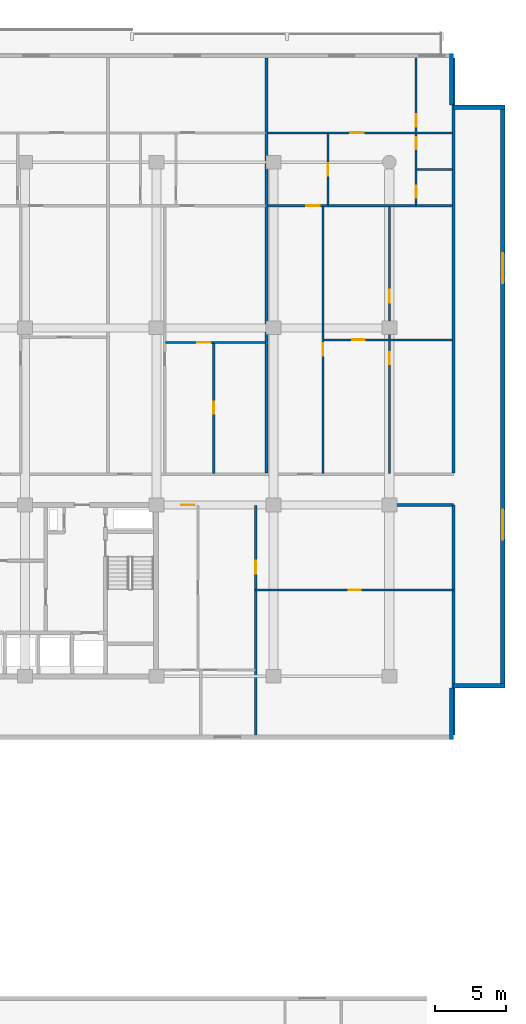
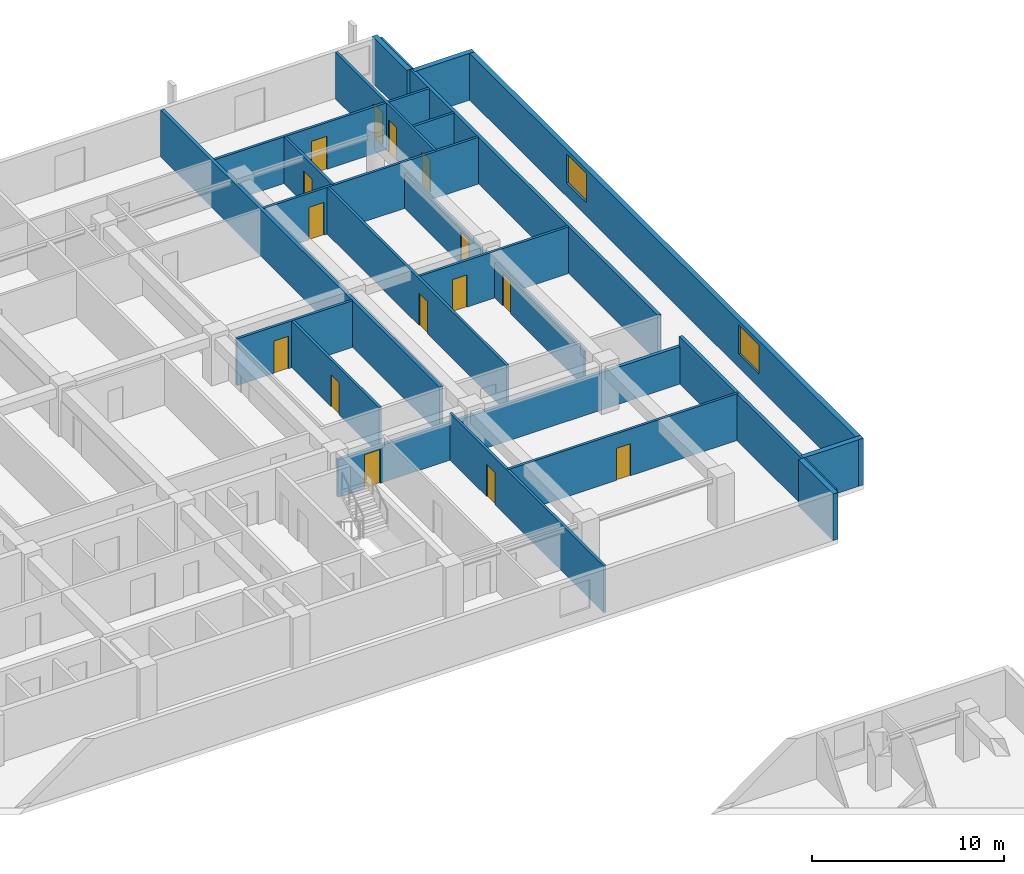
# One storey, part 17 of 23: 21 walls, 15 doors, 2 windows, 17 openings.
"""IFC4 building model written with IfcOpenShell, lengths in metres."""

import ifcopenshell
import ifcopenshell.guid

model = None  # the IFC model being written
_history = None  # IfcOwnerHistory: only IFC2X3 demands one
_inside = {}  # id of a spatial element -> (the spatial element, [elements in it])
_under = {}  # id of a project, library or spatial element -> (it, [spatial elements below it])
_declared = {}  # id of a project -> (the project, [libraries it declares])
_typed = {}  # id of a type object -> (the type object, [elements of that type])
_made_of = {}  # id of a material, layer set ... -> (it, [elements and type objects made of it])


def new_model(schema):
    """Start an empty IFC model of exactly this schema.

    Asked for "IFC4X3", IfcOpenShell would pick the latest addendum, in which some entities
    have other attributes; the version numbers below select the first issue.
    IFC2X3 requires an IfcOwnerHistory on every rooted entity: one is made here for all.
    """
    global model, _history
    if schema == "IFC4X3":
        model = ifcopenshell.file(schema_version=(4, 3, 0, 0))
    else:
        model = ifcopenshell.file(schema=schema)
    _inside.clear()
    _under.clear()
    _declared.clear()
    _typed.clear()
    _made_of.clear()
    _history = None
    if model.schema == "IFC2X3":
        org = make("IfcOrganization", Name="unknown")
        user = make(
            "IfcPersonAndOrganization",
            ThePerson=make("IfcPerson", FamilyName="unknown"),
            TheOrganization=org,
        )
        app = make(
            "IfcApplication",
            ApplicationDeveloper=org,
            Version="unknown",
            ApplicationFullName="unknown",
            ApplicationIdentifier="unknown",
        )
        _history = make(
            "IfcOwnerHistory",
            OwningUser=user,
            OwningApplication=app,
            ChangeAction="ADDED",
            CreationDate=0,
        )
    return model


def make(cls, **values):
    """One entity of the class cls with the attributes given. An attribute that is None is left unset."""
    return model.create_entity(
        cls, **{name: value for name, value in values.items() if value is not None}
    )


def rooted(cls, **values):
    """An entity with a GlobalId (a new one), such as an element, a storey or a relation."""
    return make(cls, GlobalId=ifcopenshell.guid.new(), OwnerHistory=_history, **values)


def si_unit(unit_type, name, prefix=None):
    """IfcSIUnit, for example si_unit("LENGTHUNIT", "METRE", prefix="MILLI")."""
    return make("IfcSIUnit", UnitType=unit_type, Prefix=prefix, Name=name)


def assignment(units):
    """IfcUnitAssignment: the units of a project."""
    return None if units is None else make("IfcUnitAssignment", Units=units)


def point(xyz):
    """IfcCartesianPoint."""
    return None if xyz is None else make("IfcCartesianPoint", Coordinates=xyz)


def direction(xyz):
    """IfcDirection."""
    return None if xyz is None else make("IfcDirection", DirectionRatios=xyz)


def frame(location, z_axis=None, x_axis=None):
    """IfcAxis2Placement3D, a coordinate frame: its origin and axes. An axis left out is left unset."""
    return make(
        "IfcAxis2Placement3D",
        Location=point(location),
        Axis=direction(z_axis),
        RefDirection=direction(x_axis),
    )


def frame_2d(location, x_axis=None):
    """IfcAxis2Placement2D, a coordinate frame in the plane: its origin and x axis."""
    return make(
        "IfcAxis2Placement2D", Location=point(location), RefDirection=direction(x_axis)
    )


def origin():
    """The frame at (0, 0, 0) with its axes left unset."""
    return frame((0.0, 0.0, 0.0))


def place(relative_to, where):
    """IfcLocalPlacement: puts the frame where relative to a parent placement (None: the world)."""
    return make(
        "IfcLocalPlacement", PlacementRelTo=relative_to, RelativePlacement=where
    )


def context(
    kind, dimensions, precision=None, world=None, true_north=None, identifier=None
):
    """IfcGeometricRepresentationContext, for example the 3D "Model" context."""
    return make(
        "IfcGeometricRepresentationContext",
        ContextIdentifier=identifier,
        ContextType=kind,
        CoordinateSpaceDimension=dimensions,
        Precision=precision,
        WorldCoordinateSystem=world,
        TrueNorth=true_north,
    )


def subcontext(parent, identifier, kind, view, scale=None):
    """IfcGeometricRepresentationSubContext, for example "Body" below "Model"."""
    return make(
        "IfcGeometricRepresentationSubContext",
        ContextIdentifier=identifier,
        ContextType=kind,
        ParentContext=parent,
        TargetScale=scale,
        TargetView=view,
    )


def project(units=None, contexts=None):
    """IfcProject with its units and contexts."""
    return rooted(
        "IfcProject",
        Name="project",
        RepresentationContexts=contexts,
        UnitsInContext=assignment(units),
    )


def spatial(cls, under=None, at=None, **own):
    """A site, building, storey or space (cls), placed at a placement, below another one or the project."""
    s = rooted(cls, ObjectPlacement=at, **own)
    if under is not None:
        _under.setdefault(under.id(), (under, []))[1].append(s)
    return s


def profile(cls, at=None, kind="AREA", **sizes):
    """A parametric profile (cls). Its sizes go by their IFC names, for example OverallWidth=200.0."""
    return make(cls, ProfileType=kind, Position=at, **sizes)


def rectangle(**sizes):
    """IfcRectangleProfileDef."""
    return profile("IfcRectangleProfileDef", **sizes)


def extrude(swept, where, along, depth):
    """IfcExtrudedAreaSolid: the profile swept, set in the frame where, extruded along a direction by depth."""
    return make(
        "IfcExtrudedAreaSolid",
        SweptArea=swept,
        Position=where,
        ExtrudedDirection=direction(along),
        Depth=depth,
    )


def shape(context_of_items, identifier, shape_type, items):
    """IfcShapeRepresentation: the items that make up one representation, for example the "Body"."""
    return make(
        "IfcShapeRepresentation",
        ContextOfItems=context_of_items,
        RepresentationIdentifier=identifier,
        RepresentationType=shape_type,
        Items=items,
    )


def material(Name=None, Category=None):
    """IfcMaterial."""
    return make("IfcMaterial", Name=Name, Category=Category)


def layer(
    of_material, thickness, ventilated=None, Name=None, Category=None, Priority=None
):
    """IfcMaterialLayer: one layer of a wall or slab, of a material (None: an air gap)."""
    return make(
        "IfcMaterialLayer",
        Material=of_material,
        LayerThickness=thickness,
        IsVentilated=ventilated,
        Name=Name,
        Category=Category,
        Priority=Priority,
    )


def layer_set(layers, Name=None):
    """IfcMaterialLayerSet."""
    return make("IfcMaterialLayerSet", MaterialLayers=layers, LayerSetName=Name)


def made_of(thing, what):
    """Note that an element or type object is made of a material, layer set ...; save() writes the relation."""
    if what is not None:
        _made_of.setdefault(what.id(), (what, []))[1].append(thing)
    return thing


def type_object(cls, material=None, **own):
    """A type object (cls), such as IfcWallType, which elements share."""
    return made_of(rooted(cls, **own), material)


def element(
    cls,
    number,
    at=None,
    inside=None,
    cuts=None,
    type_object=None,
    material=None,
    context=None,
    identifier="Body",
    shape_type=None,
    held_by="IfcProductDefinitionShape",
    body=None,
    shapes=None,
    **own,
):
    """One element of the class cls, such as IfcWall. Its Tag is "e" and its number.

    at: its placement. inside: the storey or other place that contains it. cuts: it is an
    opening in that element (IfcRelVoidsElement). A single representation is given by context,
    identifier, shape_type and body (its items); several are given by shapes. held_by: the class
    of the entity that holds the representations. save() writes the other relations.
    """
    e = rooted(cls, Tag="e%d" % number, ObjectPlacement=at, **own)
    if body is not None:
        shapes = [shape(context, identifier, shape_type, body)]
    if shapes is not None:
        e.Representation = make(held_by, Representations=shapes)
    if inside is not None:
        _inside.setdefault(inside.id(), (inside, []))[1].append(e)
    if cuts is not None:
        rooted(
            "IfcRelVoidsElement", RelatingBuildingElement=cuts, RelatedOpeningElement=e
        )
    if type_object is not None:
        _typed.setdefault(type_object.id(), (type_object, []))[1].append(e)
    return made_of(e, material)


def fill(opening, filler):
    """IfcRelFillsElement: the door or window that sits in an opening."""
    return rooted(
        "IfcRelFillsElement",
        RelatingOpeningElement=opening,
        RelatedBuildingElement=filler,
    )


def aggregate(whole, parts):
    """IfcRelAggregates: a whole, such as a stair, and the parts it consists of."""
    return rooted("IfcRelAggregates", RelatingObject=whole, RelatedObjects=parts)


def save(model, path):
    """Write the relations noted so far, then the file.

    IfcRelAggregates (storeys below a building ...), IfcRelContainedInSpatialStructure (elements
    in a storey), IfcRelDefinesByType, IfcRelAssociatesMaterial and IfcRelDeclares: one each for
    every whole, place, type object, material and project.
    """
    for whole, parts in _under.values():
        aggregate(whole, parts)
    for where, things in _inside.values():
        rooted(
            "IfcRelContainedInSpatialStructure",
            RelatedElements=things,
            RelatingStructure=where,
        )
    for kind, things in _typed.values():
        rooted("IfcRelDefinesByType", RelatedObjects=things, RelatingType=kind)
    for what, things in _made_of.values():
        rooted("IfcRelAssociatesMaterial", RelatedObjects=things, RelatingMaterial=what)
    for by, libraries in _declared.values():
        rooted("IfcRelDeclares", RelatingContext=by, RelatedDefinitions=libraries)
    model.write(path)


model = new_model("IFC4")

# Units and contexts
model_context = context("Model", 3, precision=1e-05, world=origin(), true_north=direction((0.0, 1.0)))
body_context = subcontext(model_context, "Body", "Model", "MODEL_VIEW")
ifc_project = project(units=[si_unit("LENGTHUNIT", "METRE"), si_unit("AREAUNIT", "SQUARE_METRE"), si_unit("VOLUMEUNIT", "CUBIC_METRE"), si_unit("PLANEANGLEUNIT", "RADIAN"), si_unit("MASSUNIT", "GRAM", prefix="KILO")], contexts=[model_context])

# Site, building, storey
site_placement = place(None, origin())
site = spatial("IfcSite", under=ifc_project, at=site_placement, CompositionType="ELEMENT")
building_placement = place(site_placement, origin())
building = spatial("IfcBuilding", under=site, at=building_placement, Name="Korimba Cascade Residences", CompositionType="ELEMENT")
storey_placement = place(building_placement, frame((0.0, 0.0, 27.25)))
storey = spatial("IfcBuildingStorey", under=building, at=storey_placement, Name="L06", CompositionType="ELEMENT", Elevation=27.25)

# Walls
ifc_material_1 = material(Name="Precast concrete C40/50", Category="concrete")
ifc_layer_1 = layer(ifc_material_1, 0.300048828125)
ifc_layer_set_1 = layer_set([ifc_layer_1], Name="Precast concrete C40/50")
wall_type_1 = type_object("IfcWallType", Name="EW-STONE-300", PredefinedType="STANDARD", material=ifc_layer_set_1)
wall_1_placement = place(storey_placement, frame((132.75, 50.800048828125, 0.0), z_axis=(0.0, 0.0, 1.0), x_axis=(0.0, 1.0, 0.0)))
element("IfcWall", 1, at=wall_1_placement, inside=storey, type_object=wall_type_1, Name="L06 T1 Perimeter Stone Wall E01", PredefinedType="STANDARD", context=body_context, shape_type="SweptSolid", body=[
    extrude(rectangle(XDim=3.599853515625, YDim=0.300048828125, at=frame_2d((1.7998046875, 0.0))), origin(), (0.0, 0.0, 1.0), 2.969970703125),
])
wall_2_placement = place(storey_placement, frame((132.89990234375, 54.550048828125, 0.0), z_axis=(0.0, 0.0, 1.0), x_axis=(1.0, 0.0, 0.0)))
element("IfcWall", 2, at=wall_2_placement, inside=storey, type_object=wall_type_1, Name="L06 T1 Perimeter Stone Wall E02", PredefinedType="STANDARD", context=body_context, shape_type="SweptSolid", body=[
    extrude(rectangle(XDim=3.60009765625, YDim=0.300048828125, at=frame_2d((1.800048828125, 0.0))), origin(), (0.0, 0.0, 1.0), 2.969970703125),
])

# Wall, openings, windows
wall_3_placement = place(storey_placement, frame((136.35009765625, 54.39990234375, 0.0), z_axis=(0.0, 0.0, 1.0), x_axis=(0.0, 1.0, 0.0)))
wall_3 = element("IfcWall", 3, at=wall_3_placement, inside=storey, type_object=wall_type_1, Name="L06 T1 Perimeter Stone Wall E03", PredefinedType="STANDARD", context=body_context, shape_type="SweptSolid", body=[
    extrude(rectangle(XDim=40.800048828125, YDim=0.300048828125, at=frame_2d((20.39990234375, 0.0))), origin(), (0.0, 0.0, 1.0), 2.969970703125),
])
opening_1_placement = place(wall_3_placement, frame((10.3740234375, 0.0, 0.85009765625)))
opening_1 = element("IfcOpeningElement", 4, at=opening_1_placement, cuts=wall_3, Name="Opening W-03", PredefinedType="OPENING", context=body_context, shape_type="SweptSolid", body=[
    extrude(rectangle(XDim=2.10009765625, YDim=1.85009765625, at=frame_2d((1.050048828125, 0.925048828125))), frame((0.0, 0.16015625, 0.0), z_axis=(0.0, -1.0, 0.0), x_axis=(1.0, 0.0, 0.0)), (0.0, 0.0, 1.0), 0.320068359375),
])
opening_2_placement = place(wall_3_placement, frame((28.325927734375, 0.0, 0.85009765625)))
opening_2 = element("IfcOpeningElement", 5, at=opening_2_placement, cuts=wall_3, Name="Opening W-03", PredefinedType="OPENING", context=body_context, shape_type="SweptSolid", body=[
    extrude(rectangle(XDim=2.10009765625, YDim=1.85009765625, at=frame_2d((1.050048828125, 0.925048828125))), frame((0.0, 0.16015625, 0.0), z_axis=(0.0, -1.0, 0.0), x_axis=(1.0, 0.0, 0.0)), (0.0, 0.0, 1.0), 0.320068359375),
])
ifc_material_2 = material(Name="Double-Glazed Aluminium Window", Category="aluminium")
window_type = type_object("IfcWindowType", Name="WIN-CRN-2100", PartitioningType="DOUBLE_PANEL_HORIZONTAL", PredefinedType="WINDOW", material=ifc_material_2)
window_1_placement = place(opening_1_placement, origin())
window_1 = element("IfcWindow", 6, at=window_1_placement, inside=storey, type_object=window_type, Name="L06 T1 End View Window 3.1", OverallHeight=1.85009765625, OverallWidth=2.10009765625, PartitioningType="DOUBLE_PANEL_HORIZONTAL", PredefinedType="WINDOW", context=body_context, shape_type="SweptSolid", body=[
    extrude(rectangle(XDim=2.10009765625, YDim=1.85009765625, at=frame_2d((1.050048828125, 0.925048828125))), frame((0.0, 0.030029296875, 0.0), z_axis=(0.0, -1.0, 0.0), x_axis=(1.0, 0.0, 0.0)), (0.0, 0.0, 1.0), 0.06005859375),
])
fill(opening_1, window_1)
window_2_placement = place(opening_2_placement, origin())
window_2 = element("IfcWindow", 7, at=window_2_placement, inside=storey, type_object=window_type, Name="L06 T1 End View Window 3.2", OverallHeight=1.85009765625, OverallWidth=2.10009765625, PartitioningType="DOUBLE_PANEL_HORIZONTAL", PredefinedType="WINDOW", context=body_context, shape_type="SweptSolid", body=[
    extrude(rectangle(XDim=2.10009765625, YDim=1.85009765625, at=frame_2d((1.050048828125, 0.925048828125))), frame((0.0, 0.030029296875, 0.0), z_axis=(0.0, -1.0, 0.0), x_axis=(1.0, 0.0, 0.0)), (0.0, 0.0, 1.0), 0.06005859375),
])
fill(opening_2, window_2)

# Walls
for number, where, z_axis, x_axis, name in (
    (8, (136.5, 95.050048828125, 0.0), (0.0, 0.0, 1.0), (-1.0, 0.0, 0.0), "L06 T1 Perimeter Stone Wall E04"),
    (9, (132.75, 95.199951171875, 0.0), (0.0, 0.0, 1.0), (0.0, 1.0, 0.0), "L06 T1 Perimeter Stone Wall E05"),
):
    element("IfcWall", number, at=place(storey_placement, frame(where, z_axis=z_axis, x_axis=x_axis)), inside=storey, type_object=wall_type_1, Name=name, PredefinedType="STANDARD", context=body_context, shape_type="SweptSolid", body=[
        extrude(rectangle(XDim=3.60009765625, YDim=0.300048828125, at=frame_2d((1.800048828125, 0.0))), origin(), (0.0, 0.0, 1.0), 2.969970703125),
    ])
ifc_layer_2 = layer(ifc_material_1, 0.199951171875)
ifc_layer_set_2 = layer_set([ifc_layer_2], Name="Precast concrete C40/50")
wall_type_2 = type_object("IfcWallType", Name="WAL-IT-200", PredefinedType="PARTITIONING", material=ifc_layer_set_2)
wall_4_placement = place(storey_placement, frame((132.89990234375, 51.10009765625, 0.0), z_axis=(0.0, 0.0, 1.0), x_axis=(0.0, 1.0, 0.0)))
element("IfcWall", 10, at=wall_4_placement, inside=storey, type_object=wall_type_2, Name="L06 Partition Wall WAL-L06-T1-FE-WR", PredefinedType="PARTITIONING", context=body_context, shape_type="SweptSolid", body=[
    extrude(rectangle(XDim=16.099853515625, YDim=0.199951171875, at=frame_2d((8.0498046875, 0.0))), origin(), (0.0, 0.0, 1.0), 2.969970703125),
])

# Wall, opening, door
wall_5_placement = place(storey_placement, frame((112.25, 67.199951171875, 0.0), z_axis=(0.0, 0.0, 1.0), x_axis=(1.0, 0.0, 0.0)))
wall_5 = element("IfcWall", 11, at=wall_5_placement, inside=storey, type_object=wall_type_2, Name="L06 Partition Wall WAL-L06-T1-FE-N", PredefinedType="PARTITIONING", context=body_context, shape_type="SweptSolid", body=[
    extrude(rectangle(XDim=20.64990234375, YDim=0.199951171875, at=frame_2d((10.324951171875, 0.0))), origin(), (0.0, 0.0, 1.0), 2.3701171875),
])
opening_3_placement = place(wall_5_placement, frame((1.580078125, 0.0, 0.0)))
opening_3 = element("IfcOpeningElement", 12, at=opening_3_placement, cuts=wall_5, Name="Opening D-UN1", PredefinedType="OPENING", context=body_context, shape_type="SweptSolid", body=[
    extrude(rectangle(XDim=0.949951171875, YDim=2.14990234375, at=frame_2d((0.47509765625, 1.074951171875))), frame((0.0, 0.10986328125, 0.0), z_axis=(0.0, -1.0, 0.0), x_axis=(1.0, 0.0, 0.0)), (0.0, 0.0, 1.0), 0.219970703125),
])
ifc_material_3 = material(Name="Fire-Rated Hardwood Apartment Entrance Door", Category="wood")
door_type_1 = type_object("IfcDoorType", Name="DR-FD60-950", OperationType="NOTDEFINED", PredefinedType="DOOR", material=ifc_material_3)
door_1_placement = place(opening_3_placement, origin())
door_1 = element("IfcDoor", 13, at=door_1_placement, inside=storey, type_object=door_type_1, Name="L06-T1-FE Entrance Door", OperationType="SINGLE_SWING_LEFT", OverallHeight=2.14990234375, OverallWidth=0.949951171875, PredefinedType="DOOR", context=body_context, shape_type="SweptSolid", body=[
    extrude(rectangle(XDim=0.949951171875, YDim=2.14990234375, at=frame_2d((0.47509765625, 1.074951171875))), frame((0.0, 0.02490234375, 0.0), z_axis=(0.0, -1.0, 0.0), x_axis=(1.0, 0.0, 0.0)), (0.0, 0.0, 1.0), 0.050048828125),
])
fill(opening_3, door_1)

# Walls
for number, where, z_axis, x_axis, name in (
    (14, (132.89990234375, 69.429931640625, 0.0), (0.0, 0.0, 1.0), (0.0, 1.0, 0.0), "L06 Partition Wall WAL-L06-T1-BNDWR"),
    (15, (119.798583984375, 69.429931640625, 0.0), (0.0, 0.0, 1.0), (0.0, 1.0, 0.0), "L06 Partition Wall WAL-L06-T1-DEM-6"),
):
    element("IfcWall", number, at=place(storey_placement, frame(where, z_axis=z_axis, x_axis=x_axis)), inside=storey, type_object=wall_type_2, Name=name, PredefinedType="PARTITIONING", context=body_context, shape_type="SweptSolid", body=[
        extrude(rectangle(XDim=29.070068359375, YDim=0.199951171875, at=frame_2d((14.53515625, 0.0))), origin(), (0.0, 0.0, 1.0), 2.969970703125),
    ])

# Wall, opening, door
ifc_material_4 = material(Name="Insulated Acoustic Stud Partition", Category="gypsum")
ifc_layer_3 = layer(ifc_material_4, 0.14990234375)
ifc_layer_set_3 = layer_set([ifc_layer_3], Name="Insulated Acoustic Stud Partition")
wall_type_3 = type_object("IfcWallType", Name="WAL-PART-150", PredefinedType="PARTITIONING", material=ifc_layer_set_3)
wall_6_placement = place(storey_placement, frame((119.050048828125, 61.25, 0.0), z_axis=(0.0, 0.0, 1.0), x_axis=(1.0, 0.0, 0.0)))
wall_6 = element("IfcWall", 16, at=wall_6_placement, inside=storey, type_object=wall_type_3, Name="L06 Partition Wall WAL-L06-T1-FE-STH", PredefinedType="PARTITIONING", context=body_context, shape_type="SweptSolid", body=[
    extrude(rectangle(XDim=13.849853515625, YDim=0.14990234375, at=frame_2d((6.9248046875, 0.0))), origin(), (0.0, 0.0, 1.0), 2.969970703125),
])
opening_4_placement = place(wall_6_placement, frame((6.5048828125, 0.0, 0.0)))
opening_4 = element("IfcOpeningElement", 17, at=opening_4_placement, cuts=wall_6, Name="Opening D-BT1", PredefinedType="OPENING", context=body_context, shape_type="SweptSolid", body=[
    extrude(rectangle(XDim=0.840087890625, YDim=2.0400390625, at=frame_2d((0.419921875, 1.02001953125))), frame((0.0, 0.0849609375, 0.0), z_axis=(0.0, -1.0, 0.0), x_axis=(1.0, 0.0, 0.0)), (0.0, 0.0, 1.0), 0.169921875),
])
ifc_material_5 = material(Name="Moisture-Resistant Bathroom Timber Door", Category="wood")
door_type_2 = type_object("IfcDoorType", Name="DR-INT-850", OperationType="NOTDEFINED", PredefinedType="DOOR", material=ifc_material_5)
door_2_placement = place(opening_4_placement, origin())
door_2 = element("IfcDoor", 18, at=door_2_placement, inside=storey, type_object=door_type_2, Name="L06-T1-FE Dressing Store Door", OperationType="SINGLE_SWING_RIGHT", OverallHeight=2.0400390625, OverallWidth=0.840087890625, PredefinedType="DOOR", context=body_context, shape_type="SweptSolid", body=[
    extrude(rectangle(XDim=0.840087890625, YDim=2.0400390625, at=frame_2d((0.419921875, 1.02001953125))), frame((0.0, 0.02490234375, 0.0), z_axis=(0.0, -1.0, 0.0), x_axis=(1.0, 0.0, 0.0)), (0.0, 0.0, 1.0), 0.050048828125),
])
fill(opening_4, door_2)

wall_7_placement = place(storey_placement, frame((119.050048828125, 51.10009765625, 0.0), z_axis=(0.0, 0.0, 1.0), x_axis=(0.0, 1.0, 0.0)))
wall_7 = element("IfcWall", 19, at=wall_7_placement, inside=storey, type_object=wall_type_3, Name="L06 Partition Wall WAL-L06-T1-FE-STV", PredefinedType="PARTITIONING", context=body_context, shape_type="SweptSolid", body=[
    extrude(rectangle(XDim=16.0498046875, YDim=0.14990234375, at=frame_2d((8.02490234375, 0.0))), origin(), (0.0, 0.0, 1.0), 2.969970703125),
])
opening_5_placement = place(wall_7_placement, frame((11.300048828125, 0.0, 0.0)))
opening_5 = element("IfcOpeningElement", 20, at=opening_5_placement, cuts=wall_7, Name="Opening D-IN2", PredefinedType="OPENING", context=body_context, shape_type="SweptSolid", body=[
    extrude(rectangle(XDim=0.8798828125, YDim=2.06005859375, at=frame_2d((0.43994140625, 1.030029296875))), frame((0.0, 0.0849609375, 0.0), z_axis=(0.0, -1.0, 0.0), x_axis=(1.0, 0.0, 0.0)), (0.0, 0.0, 1.0), 0.169921875),
])
ifc_material_6 = material(Name="Acoustic Timber Bedroom Door", Category="wood")
door_type_3 = type_object("IfcDoorType", Name="DR-INT-880", OperationType="NOTDEFINED", PredefinedType="DOOR", material=ifc_material_6)
door_3_placement = place(opening_5_placement, origin())
door_3 = element("IfcDoor", 21, at=door_3_placement, inside=storey, type_object=door_type_3, Name="L06-T1-FE Study Door", OperationType="SINGLE_SWING_LEFT", OverallHeight=2.06005859375, OverallWidth=0.8798828125, PredefinedType="DOOR", context=body_context, shape_type="SweptSolid", body=[
    extrude(rectangle(XDim=0.8798828125, YDim=2.06005859375, at=frame_2d((0.43994140625, 1.030029296875))), frame((0.0, 0.02490234375, 0.0), z_axis=(0.0, -1.0, 0.0), x_axis=(1.0, 0.0, 0.0)), (0.0, 0.0, 1.0), 0.050048828125),
])
fill(opening_5, door_3)

wall_8_placement = place(storey_placement, frame((116.11083984375, 69.409912109375, 0.0), z_axis=(0.0, 0.0, 1.0), x_axis=(0.0, 1.0, 0.0)))
wall_8 = element("IfcWall", 22, at=wall_8_placement, inside=storey, type_object=wall_type_3, Name="L06 Partition Wall WAL-L06-T1-U06-FMV", PredefinedType="PARTITIONING", context=body_context, shape_type="SweptSolid", body=[
    extrude(rectangle(XDim=9.170166015625, YDim=0.14990234375, at=frame_2d((4.5849609375, 0.0))), origin(), (0.0, 0.0, 1.0), 2.969970703125),
])
opening_6_placement = place(wall_8_placement, frame((4.1650390625, 0.0, 0.0)))
opening_6 = element("IfcOpeningElement", 23, at=opening_6_placement, cuts=wall_8, Name="Opening D-BT1", PredefinedType="OPENING", context=body_context, shape_type="SweptSolid", body=[
    extrude(rectangle(XDim=0.840087890625, YDim=2.0400390625, at=frame_2d((0.419921875, 1.02001953125))), frame((0.0, 0.0849609375, 0.0), z_axis=(0.0, -1.0, 0.0), x_axis=(1.0, 0.0, 0.0)), (0.0, 0.0, 1.0), 0.169921875),
])
door_4_placement = place(opening_6_placement, origin())
door_4 = element("IfcDoor", 24, at=door_4_placement, inside=storey, type_object=door_type_2, Name="L06-T1-U06 Wardrobe Door", OperationType="SINGLE_SWING_RIGHT", OverallHeight=2.0400390625, OverallWidth=0.840087890625, PredefinedType="DOOR", context=body_context, shape_type="SweptSolid", body=[
    extrude(rectangle(XDim=0.840087890625, YDim=2.0400390625, at=frame_2d((0.419921875, 1.02001953125))), frame((0.0, 0.02490234375, 0.0), z_axis=(0.0, -1.0, 0.0), x_axis=(1.0, 0.0, 0.0)), (0.0, 0.0, 1.0), 0.050048828125),
])
fill(opening_6, door_4)

wall_9_placement = place(storey_placement, frame((112.742919921875, 78.580078125, 0.0), z_axis=(0.0, 0.0, 1.0), x_axis=(1.0, 0.0, 0.0)))
wall_9 = element("IfcWall", 25, at=wall_9_placement, inside=storey, type_object=wall_type_3, Name="L06 Partition Wall WAL-L06-T1-U06-FMH", PredefinedType="PARTITIONING", context=body_context, shape_type="SweptSolid", body=[
    extrude(rectangle(XDim=6.9755859375, YDim=0.14990234375, at=frame_2d((3.48779296875, 0.0))), origin(), (0.0, 0.0, 1.0), 2.969970703125),
])
opening_7_placement = place(wall_9_placement, frame((2.2294921875, 0.0, 0.0)))
opening_7 = element("IfcOpeningElement", 26, at=opening_7_placement, cuts=wall_9, Name="Opening D-IN2", PredefinedType="OPENING", context=body_context, shape_type="SweptSolid", body=[
    extrude(rectangle(XDim=0.8798828125, YDim=2.06005859375, at=frame_2d((0.43994140625, 1.030029296875))), frame((0.0, 0.0849609375, 0.0), z_axis=(0.0, -1.0, 0.0), x_axis=(1.0, 0.0, 0.0)), (0.0, 0.0, 1.0), 0.169921875),
])
door_5_placement = place(opening_7_placement, origin())
door_5 = element("IfcDoor", 27, at=door_5_placement, inside=storey, type_object=door_type_3, Name="L06-T1-U06 Library Salon Door", OperationType="SINGLE_SWING_LEFT", OverallHeight=2.06005859375, OverallWidth=0.8798828125, PredefinedType="DOOR", context=body_context, shape_type="SweptSolid", body=[
    extrude(rectangle(XDim=0.8798828125, YDim=2.06005859375, at=frame_2d((0.43994140625, 1.030029296875))), frame((0.0, 0.02490234375, 0.0), z_axis=(0.0, -1.0, 0.0), x_axis=(1.0, 0.0, 0.0)), (0.0, 0.0, 1.0), 0.050048828125),
])
fill(opening_7, door_5)

# Wall, openings, doors
wall_10_placement = place(storey_placement, frame((128.42431640625, 69.409912109375, 0.0), z_axis=(0.0, 0.0, 1.0), x_axis=(0.0, 1.0, 0.0)))
wall_10 = element("IfcWall", 28, at=wall_10_placement, inside=storey, type_object=wall_type_3, Name="L06 Partition Wall WAL-L06-T1-U07-FMV", PredefinedType="PARTITIONING", context=body_context, shape_type="SweptSolid", body=[
    extrude(rectangle(XDim=18.7001953125, YDim=0.14990234375, at=frame_2d((9.35009765625, 0.0))), origin(), (0.0, 0.0, 1.0), 2.219970703125),
])
opening_8_placement = place(wall_10_placement, frame((7.627197265625, 0.0, 0.0)))
opening_8 = element("IfcOpeningElement", 29, at=opening_8_placement, cuts=wall_10, Name="Opening D-BT1", PredefinedType="OPENING", context=body_context, shape_type="SweptSolid", body=[
    extrude(rectangle(XDim=0.840087890625, YDim=2.0400390625, at=frame_2d((0.419921875, 1.02001953125))), frame((0.0, 0.0849609375, 0.0), z_axis=(0.0, -1.0, 0.0), x_axis=(1.0, 0.0, 0.0)), (0.0, 0.0, 1.0), 0.169921875),
])
opening_9_placement = place(wall_10_placement, frame((11.9609375, 0.0, 0.0)))
opening_9 = element("IfcOpeningElement", 30, at=opening_9_placement, cuts=wall_10, Name="Opening D-IN2", PredefinedType="OPENING", context=body_context, shape_type="SweptSolid", body=[
    extrude(rectangle(XDim=0.8798828125, YDim=2.06005859375, at=frame_2d((0.43994140625, 1.030029296875))), frame((0.0, 0.0849609375, 0.0), z_axis=(0.0, -1.0, 0.0), x_axis=(1.0, 0.0, 0.0)), (0.0, 0.0, 1.0), 0.169921875),
])
door_6_placement = place(opening_8_placement, origin())
door_6 = element("IfcDoor", 31, at=door_6_placement, inside=storey, type_object=door_type_2, Name="L06-T1-U07 Wardrobe Door", OperationType="SINGLE_SWING_LEFT", OverallHeight=2.0400390625, OverallWidth=0.840087890625, PredefinedType="DOOR", context=body_context, shape_type="SweptSolid", body=[
    extrude(rectangle(XDim=0.840087890625, YDim=2.0400390625, at=frame_2d((0.419921875, 1.02001953125))), frame((0.0, 0.02490234375, 0.0), z_axis=(0.0, -1.0, 0.0), x_axis=(1.0, 0.0, 0.0)), (0.0, 0.0, 1.0), 0.050048828125),
])
fill(opening_8, door_6)
door_7_placement = place(opening_9_placement, origin())
door_7 = element("IfcDoor", 32, at=door_7_placement, inside=storey, type_object=door_type_3, Name="L06-T1-U07 Music Lounge Door", OperationType="SINGLE_SWING_RIGHT", OverallHeight=2.06005859375, OverallWidth=0.8798828125, PredefinedType="DOOR", context=body_context, shape_type="SweptSolid", body=[
    extrude(rectangle(XDim=0.8798828125, YDim=2.06005859375, at=frame_2d((0.43994140625, 1.030029296875))), frame((0.0, 0.02490234375, 0.0), z_axis=(0.0, -1.0, 0.0), x_axis=(1.0, 0.0, 0.0)), (0.0, 0.0, 1.0), 0.050048828125),
])
fill(opening_9, door_7)

# Wall, opening, door
wall_11_placement = place(storey_placement, frame((123.82861328125, 78.760009765625, 0.0), z_axis=(0.0, 0.0, 1.0), x_axis=(1.0, 0.0, 0.0)))
wall_11 = element("IfcWall", 33, at=wall_11_placement, inside=storey, type_object=wall_type_3, Name="L06 Partition Wall WAL-L06-T1-U07-FMH", PredefinedType="PARTITIONING", context=body_context, shape_type="SweptSolid", body=[
    extrude(rectangle(XDim=8.991455078125, YDim=0.14990234375, at=frame_2d((4.49560546875, 0.0))), origin(), (0.0, 0.0, 1.0), 2.969970703125),
])
opening_10_placement = place(wall_11_placement, frame((1.98583984375, 0.0, 0.0)))
opening_10 = element("IfcOpeningElement", 34, at=opening_10_placement, cuts=wall_11, Name="Opening D-IN2", PredefinedType="OPENING", context=body_context, shape_type="SweptSolid", body=[
    extrude(rectangle(XDim=0.8798828125, YDim=2.06005859375, at=frame_2d((0.43994140625, 1.030029296875))), frame((0.0, 0.0849609375, 0.0), z_axis=(0.0, -1.0, 0.0), x_axis=(1.0, 0.0, 0.0)), (0.0, 0.0, 1.0), 0.169921875),
])
door_8_placement = place(opening_10_placement, origin())
door_8 = element("IfcDoor", 35, at=door_8_placement, inside=storey, type_object=door_type_3, Name="L06-T1-U07 Library Salon Door", OperationType="SINGLE_SWING_LEFT", OverallHeight=2.06005859375, OverallWidth=0.8798828125, PredefinedType="DOOR", context=body_context, shape_type="SweptSolid", body=[
    extrude(rectangle(XDim=0.8798828125, YDim=2.06005859375, at=frame_2d((0.43994140625, 1.030029296875))), frame((0.0, 0.02490234375, 0.0), z_axis=(0.0, -1.0, 0.0), x_axis=(1.0, 0.0, 0.0)), (0.0, 0.0, 1.0), 0.050048828125),
])
fill(opening_10, door_8)

wall_12_placement = place(storey_placement, frame((123.7685546875, 69.409912109375, 0.0), z_axis=(0.0, 0.0, 1.0), x_axis=(0.0, 1.0, 0.0)))
wall_12 = element("IfcWall", 36, at=wall_12_placement, inside=storey, type_object=wall_type_3, Name="L06 Partition Wall WAL-L06-T1-U07-FV", PredefinedType="PARTITIONING", context=body_context, shape_type="SweptSolid", body=[
    extrude(rectangle(XDim=18.7001953125, YDim=0.14990234375, at=frame_2d((9.35009765625, 0.0))), origin(), (0.0, 0.0, 1.0), 2.969970703125),
])
opening_11_placement = place(wall_12_placement, frame((8.219970703125, 0.0, 0.0)))
opening_11 = element("IfcOpeningElement", 37, at=opening_11_placement, cuts=wall_12, Name="Opening D-IN2", PredefinedType="OPENING", context=body_context, shape_type="SweptSolid", body=[
    extrude(rectangle(XDim=0.8798828125, YDim=2.06005859375, at=frame_2d((0.43994140625, 1.030029296875))), frame((0.0, 0.0849609375, 0.0), z_axis=(0.0, -1.0, 0.0), x_axis=(1.0, 0.0, 0.0)), (0.0, 0.0, 1.0), 0.169921875),
])
door_9_placement = place(opening_11_placement, origin())
door_9 = element("IfcDoor", 38, at=door_9_placement, inside=storey, type_object=door_type_3, Name="L06-T1-U07 Media Lounge Door", OperationType="SINGLE_SWING_RIGHT", OverallHeight=2.06005859375, OverallWidth=0.8798828125, PredefinedType="DOOR", context=body_context, shape_type="SweptSolid", body=[
    extrude(rectangle(XDim=0.8798828125, YDim=2.06005859375, at=frame_2d((0.43994140625, 1.030029296875))), frame((0.0, 0.02490234375, 0.0), z_axis=(0.0, -1.0, 0.0), x_axis=(1.0, 0.0, 0.0)), (0.0, 0.0, 1.0), 0.050048828125),
])
fill(opening_11, door_9)

wall_13_placement = place(storey_placement, frame((124.11865234375, 88.18994140625, 0.0), z_axis=(0.0, 0.0, 1.0), x_axis=(0.0, 1.0, 0.0)))
wall_13 = element("IfcWall", 39, at=wall_13_placement, inside=storey, type_object=wall_type_3, Name="L06 Partition Wall WAL-L06-T1-U07-VDIN", PredefinedType="PARTITIONING", context=body_context, shape_type="SweptSolid", body=[
    extrude(rectangle(XDim=5.0, YDim=0.14990234375, at=frame_2d((2.5, 0.0))), origin(), (0.0, 0.0, 1.0), 2.969970703125),
])
opening_12_placement = place(wall_13_placement, frame((2.06005859375, 0.0, 0.0)))
opening_12 = element("IfcOpeningElement", 40, at=opening_12_placement, cuts=wall_13, Name="Opening D-IN2", PredefinedType="OPENING", context=body_context, shape_type="SweptSolid", body=[
    extrude(rectangle(XDim=0.8798828125, YDim=2.06005859375, at=frame_2d((0.43994140625, 1.030029296875))), frame((0.0, 0.0849609375, 0.0), z_axis=(0.0, -1.0, 0.0), x_axis=(1.0, 0.0, 0.0)), (0.0, 0.0, 1.0), 0.169921875),
])
door_10_placement = place(opening_12_placement, origin())
door_10 = element("IfcDoor", 41, at=door_10_placement, inside=storey, type_object=door_type_3, Name="L06-T1-U07 Dining Room Door", OperationType="SINGLE_SWING_LEFT", OverallHeight=2.06005859375, OverallWidth=0.8798828125, PredefinedType="DOOR", context=body_context, shape_type="SweptSolid", body=[
    extrude(rectangle(XDim=0.8798828125, YDim=2.06005859375, at=frame_2d((0.43994140625, 1.030029296875))), frame((0.0, 0.02490234375, 0.0), z_axis=(0.0, -1.0, 0.0), x_axis=(1.0, 0.0, 0.0)), (0.0, 0.0, 1.0), 0.050048828125),
])
fill(opening_12, door_10)

# Wall
wall_14_placement = place(storey_placement, frame((130.340087890625, 90.68994140625, 0.0), z_axis=(0.0, 0.0, 1.0), x_axis=(1.0, 0.0, 0.0)))
element("IfcWall", 42, at=wall_14_placement, inside=storey, type_object=wall_type_3, Name="L06 Partition Wall WAL-L06-T1-U07-BLDIV", PredefinedType="PARTITIONING", context=body_context, shape_type="SweptSolid", body=[
    extrude(rectangle(XDim=2.47998046875, YDim=0.14990234375, at=frame_2d((1.239990234375, 0.0))), origin(), (0.0, 0.0, 1.0), 2.969970703125),
])

# Wall, openings, doors
wall_15_placement = place(storey_placement, frame((130.280029296875, 88.18994140625, 0.0), z_axis=(0.0, 0.0, 1.0), x_axis=(0.0, 1.0, 0.0)))
wall_15 = element("IfcWall", 43, at=wall_15_placement, inside=storey, type_object=wall_type_3, Name="L06 Partition Wall WAL-L06-T1-U07-V1", PredefinedType="PARTITIONING", context=body_context, shape_type="SweptSolid", body=[
    extrude(rectangle(XDim=10.31005859375, YDim=0.14990234375, at=frame_2d((5.155029296875, 0.0))), origin(), (0.0, 0.0, 1.0), 2.969970703125),
])
opening_13_placement = place(wall_15_placement, frame((0.5126953125, 0.0, 0.0)))
opening_13 = element("IfcOpeningElement", 44, at=opening_13_placement, cuts=wall_15, Name="Opening D-BT1", PredefinedType="OPENING", context=body_context, shape_type="SweptSolid", body=[
    extrude(rectangle(XDim=0.840087890625, YDim=2.0400390625, at=frame_2d((0.419921875, 1.02001953125))), frame((0.0, 0.0849609375, 0.0), z_axis=(0.0, -1.0, 0.0), x_axis=(1.0, 0.0, 0.0)), (0.0, 0.0, 1.0), 0.169921875),
])
opening_14_placement = place(wall_15_placement, frame((3.919921875, 0.0, 0.0)))
opening_14 = element("IfcOpeningElement", 45, at=opening_14_placement, cuts=wall_15, Name="Opening D-BT1", PredefinedType="OPENING", context=body_context, shape_type="SweptSolid", body=[
    extrude(rectangle(XDim=0.840087890625, YDim=2.0400390625, at=frame_2d((0.419921875, 1.02001953125))), frame((0.0, 0.0849609375, 0.0), z_axis=(0.0, -1.0, 0.0), x_axis=(1.0, 0.0, 0.0)), (0.0, 0.0, 1.0), 0.169921875),
])
opening_15_placement = place(wall_15_placement, frame((5.47998046875, 0.0, 0.0)))
opening_15 = element("IfcOpeningElement", 46, at=opening_15_placement, cuts=wall_15, Name="Opening D-IN2", PredefinedType="OPENING", context=body_context, shape_type="SweptSolid", body=[
    extrude(rectangle(XDim=0.8798828125, YDim=2.06005859375, at=frame_2d((0.43994140625, 1.030029296875))), frame((0.0, 0.0849609375, 0.0), z_axis=(0.0, -1.0, 0.0), x_axis=(1.0, 0.0, 0.0)), (0.0, 0.0, 1.0), 0.169921875),
])
door_11_placement = place(opening_13_placement, origin())
door_11 = element("IfcDoor", 47, at=door_11_placement, inside=storey, type_object=door_type_2, Name="L06-T1-U07 Bathroom Door", OperationType="SINGLE_SWING_RIGHT", OverallHeight=2.0400390625, OverallWidth=0.840087890625, PredefinedType="DOOR", context=body_context, shape_type="SweptSolid", body=[
    extrude(rectangle(XDim=0.840087890625, YDim=2.0400390625, at=frame_2d((0.419921875, 1.02001953125))), frame((0.0, 0.02490234375, 0.0), z_axis=(0.0, -1.0, 0.0), x_axis=(1.0, 0.0, 0.0)), (0.0, 0.0, 1.0), 0.050048828125),
])
fill(opening_13, door_11)
door_12_placement = place(opening_14_placement, origin())
door_12 = element("IfcDoor", 48, at=door_12_placement, inside=storey, type_object=door_type_2, Name="L06-T1-U07 Laundry Door", OperationType="SINGLE_SWING_LEFT", OverallHeight=2.0400390625, OverallWidth=0.840087890625, PredefinedType="DOOR", context=body_context, shape_type="SweptSolid", body=[
    extrude(rectangle(XDim=0.840087890625, YDim=2.0400390625, at=frame_2d((0.419921875, 1.02001953125))), frame((0.0, 0.02490234375, 0.0), z_axis=(0.0, -1.0, 0.0), x_axis=(1.0, 0.0, 0.0)), (0.0, 0.0, 1.0), 0.050048828125),
])
fill(opening_14, door_12)
door_13_placement = place(opening_15_placement, origin())
door_13 = element("IfcDoor", 49, at=door_13_placement, inside=storey, type_object=door_type_3, Name="L06-T1-U07 Bedroom 1 Door", OperationType="SINGLE_SWING_RIGHT", OverallHeight=2.06005859375, OverallWidth=0.8798828125, PredefinedType="DOOR", context=body_context, shape_type="SweptSolid", body=[
    extrude(rectangle(XDim=0.8798828125, YDim=2.06005859375, at=frame_2d((0.43994140625, 1.030029296875))), frame((0.0, 0.02490234375, 0.0), z_axis=(0.0, -1.0, 0.0), x_axis=(1.0, 0.0, 0.0)), (0.0, 0.0, 1.0), 0.050048828125),
])
fill(opening_15, door_13)

# Wall, opening, door
wall_16_placement = place(storey_placement, frame((119.878662109375, 88.14990234375, 0.0), z_axis=(0.0, 0.0, 1.0), x_axis=(1.0, 0.0, 0.0)))
wall_16 = element("IfcWall", 50, at=wall_16_placement, inside=storey, type_object=wall_type_3, Name="L06 Partition Wall WAL-L06-T1-U07-MW", PredefinedType="PARTITIONING", context=body_context, shape_type="SweptSolid", body=[
    extrude(rectangle(XDim=12.94140625, YDim=0.14990234375, at=frame_2d((6.470703125, 0.0))), origin(), (0.0, 0.0, 1.0), 2.969970703125),
])
opening_16_placement = place(wall_16_placement, frame((2.719970703125, 0.0, 0.0)))
opening_16 = element("IfcOpeningElement", 51, at=opening_16_placement, cuts=wall_16, Name="Opening D-IN1", PredefinedType="OPENING", context=body_context, shape_type="SweptSolid", body=[
    extrude(rectangle(XDim=0.919921875, YDim=2.080078125, at=frame_2d((0.4599609375, 1.0400390625))), frame((0.0, 0.0849609375, 0.0), z_axis=(0.0, -1.0, 0.0), x_axis=(1.0, 0.0, 0.0)), (0.0, 0.0, 1.0), 0.169921875),
])
ifc_material_7 = material(Name="Acoustic Timber Living Door", Category="wood")
door_type_4 = type_object("IfcDoorType", Name="DR-INT-920", OperationType="NOTDEFINED", PredefinedType="DOOR", material=ifc_material_7)
door_14_placement = place(opening_16_placement, origin())
door_14 = element("IfcDoor", 52, at=door_14_placement, inside=storey, type_object=door_type_4, Name="L06-T1-U07 Kitchen Archway Door", OperationType="SINGLE_SWING_LEFT", OverallHeight=2.080078125, OverallWidth=0.919921875, PredefinedType="DOOR", context=body_context, shape_type="SweptSolid", body=[
    extrude(rectangle(XDim=0.919921875, YDim=2.080078125, at=frame_2d((0.4599609375, 1.0400390625))), frame((0.0, 0.02490234375, 0.0), z_axis=(0.0, -1.0, 0.0), x_axis=(1.0, 0.0, 0.0)), (0.0, 0.0, 1.0), 0.050048828125),
])
fill(opening_16, door_14)

wall_17_placement = place(storey_placement, frame((119.878662109375, 93.25, 0.0), z_axis=(0.0, 0.0, 1.0), x_axis=(1.0, 0.0, 0.0)))
wall_17 = element("IfcWall", 53, at=wall_17_placement, inside=storey, type_object=wall_type_3, Name="L06 Partition Wall WAL-L06-T1-U07-HZ", PredefinedType="PARTITIONING", context=body_context, shape_type="SweptSolid", body=[
    extrude(rectangle(XDim=12.94140625, YDim=0.14990234375, at=frame_2d((6.470703125, 0.0))), origin(), (0.0, 0.0, 1.0), 2.969970703125),
])
opening_17_placement = place(wall_17_placement, frame((5.80615234375, 0.0, 0.0)))
opening_17 = element("IfcOpeningElement", 54, at=opening_17_placement, cuts=wall_17, Name="Opening D-IN0", PredefinedType="OPENING", context=body_context, shape_type="SweptSolid", body=[
    extrude(rectangle(XDim=0.93994140625, YDim=2.10009765625, at=frame_2d((0.469970703125, 1.050048828125))), frame((0.0, 0.0849609375, 0.0), z_axis=(0.0, -1.0, 0.0), x_axis=(1.0, 0.0, 0.0)), (0.0, 0.0, 1.0), 0.169921875),
])
ifc_material_8 = material(Name="Acoustic Timber Living Archway Door", Category="wood")
door_type_5 = type_object("IfcDoorType", Name="DR-INT-950", OperationType="NOTDEFINED", PredefinedType="DOOR", material=ifc_material_8)
door_15_placement = place(opening_17_placement, origin())
door_15 = element("IfcDoor", 55, at=door_15_placement, inside=storey, type_object=door_type_5, Name="L06-T1-U07 Living Archway Door", OperationType="SINGLE_SWING_RIGHT", OverallHeight=2.10009765625, OverallWidth=0.93994140625, PredefinedType="DOOR", context=body_context, shape_type="SweptSolid", body=[
    extrude(rectangle(XDim=0.93994140625, YDim=2.10009765625, at=frame_2d((0.469970703125, 1.050048828125))), frame((0.0, 0.02490234375, 0.0), z_axis=(0.0, -1.0, 0.0), x_axis=(1.0, 0.0, 0.0)), (0.0, 0.0, 1.0), 0.050048828125),
])
fill(opening_17, door_15)

save(model, "model.ifc")
